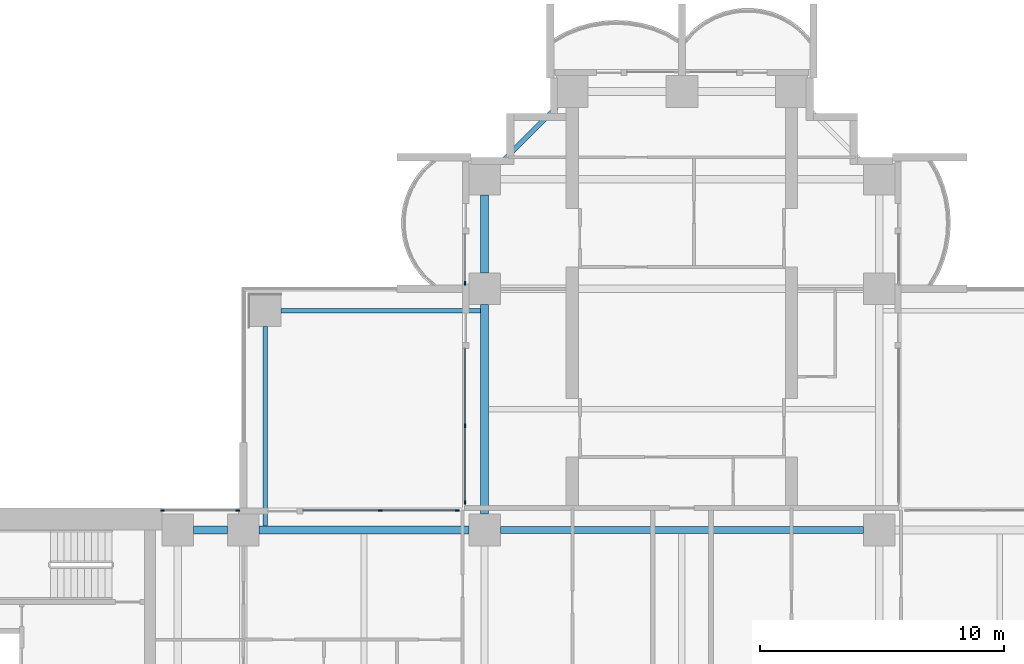
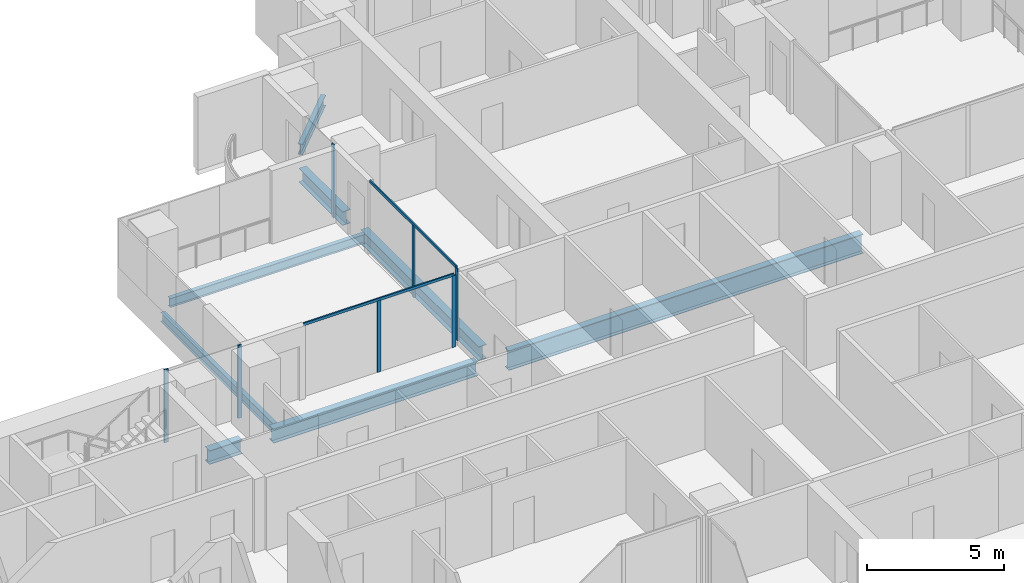
# One storey, part 5 of 20: 9 members, 8 beams, 4 elements without a shape of their own.
"""IFC4 building model written with IfcOpenShell, lengths in metres."""

from ifc_helpers import new_model, si_unit, direction, frame, origin, origin_2d, place, context, subcontext, project, spatial, rectangle, i_section, extrude, material, material_profile, profile_set, type_object, element, aggregate, save


model = new_model("IFC4")

# Units and contexts
model_context = context("Model", 3, precision=1e-05, world=origin(), true_north=direction((0.0, 1.0)))
body_context = subcontext(model_context, "Body", "Model", "MODEL_VIEW")
ifc_project = project(units=[si_unit("LENGTHUNIT", "METRE"), si_unit("AREAUNIT", "SQUARE_METRE"), si_unit("VOLUMEUNIT", "CUBIC_METRE"), si_unit("PLANEANGLEUNIT", "RADIAN"), si_unit("MASSUNIT", "GRAM", prefix="KILO")], contexts=[model_context])

# Site, building, storey
site_placement = place(None, origin())
site = spatial("IfcSite", under=ifc_project, at=site_placement, CompositionType="ELEMENT")
building_placement = place(site_placement, origin())
building = spatial("IfcBuilding", under=site, at=building_placement, Name="Perihelion Cross Residences", CompositionType="ELEMENT")
storey_placement = place(building_placement, frame((0.0, 0.0, 78.5)))
storey = spatial("IfcBuildingStorey", under=building, at=storey_placement, Name="L17", CompositionType="ELEMENT", Elevation=78.5)

# Curtain wall, member
ifc_material_1 = material(Name="Bronze anodised aluminium, tinted glazing", Category="aluminium")
curtain_wall_type = type_object("IfcCurtainWallType", Name="CW1", PredefinedType="NOTDEFINED", material=ifc_material_1)
curtain_wall_1_placement = place(storey_placement, origin())
curtain_wall_1 = element("IfcCurtainWall", 1, at=curtain_wall_1_placement, inside=storey, type_object=curtain_wall_type, Name="Curtain wall CW1 L17 north side west bay 1", PredefinedType="NOTDEFINED")
ifc_material_2 = material(Name="Bronze anodised aluminium", Category="aluminium")
ifc_material_profile_1 = material_profile(ifc_material_2, rectangle(XDim=0.06005859375, YDim=0.159912109375, at=origin_2d()), Name="CW1 mullion")
ifc_profile_set_1 = profile_set([ifc_material_profile_1], Name="Bronze anodised aluminium")
member_type_1 = type_object("IfcMemberType", Name="CW1 mullion", PredefinedType="MULLION", material=ifc_profile_set_1)
member_1_placement = place(storey_placement, frame((-8.89990234375, 18.22998046875, 0.0), z_axis=(0.0, 0.0, 1.0), x_axis=(1.0, 0.0, 0.0)))
member_1 = element("IfcMember", 2, at=member_1_placement, type_object=member_type_1, Name="CW1 mullion 2", PredefinedType="MULLION", context=body_context, shape_type="SweptSolid", body=[
    extrude(rectangle(XDim=0.06005859375, YDim=0.159912109375, at=origin_2d()), origin(), (0.0, 0.0, 1.0), 3.25),
])
aggregate(curtain_wall_1, [member_1])

# Curtain wall, members
curtain_wall_2_placement = place(storey_placement, origin())
curtain_wall_2 = element("IfcCurtainWall", 3, at=curtain_wall_2_placement, inside=storey, type_object=curtain_wall_type, Name="Curtain wall CW1 L17 north side west bay 2", PredefinedType="NOTDEFINED")
member_2_placement = place(storey_placement, frame((-8.89990234375, 12.375, 0.0), z_axis=(0.0, 0.0, 1.0), x_axis=(1.0, 0.0, 0.0)))
member_2 = element("IfcMember", 4, at=member_2_placement, type_object=member_type_1, Name="CW1 mullion 2", PredefinedType="MULLION", context=body_context, shape_type="SweptSolid", body=[
    extrude(rectangle(XDim=0.06005859375, YDim=0.159912109375, at=origin_2d()), origin(), (0.0, 0.0, 1.0), 3.18994140625),
])
member_3_placement = place(storey_placement, frame((-8.89990234375, 9.22998046875, 0.0), z_axis=(0.0, 0.0, 1.0), x_axis=(1.0, 0.0, 0.0)))
member_3 = element("IfcMember", 5, at=member_3_placement, type_object=member_type_1, Name="CW1 mullion 3", PredefinedType="MULLION", context=body_context, shape_type="SweptSolid", body=[
    extrude(rectangle(XDim=0.06005859375, YDim=0.159912109375, at=origin_2d()), origin(), (0.0, 0.0, 1.0), 3.18994140625),
])

curtain_wall_3_placement = place(storey_placement, origin())
curtain_wall_3 = element("IfcCurtainWall", 6, at=curtain_wall_3_placement, inside=storey, type_object=curtain_wall_type, Name="Curtain wall CW1 L17 west side north bay 1", PredefinedType="NOTDEFINED")
member_4_placement = place(storey_placement, frame((-9.22998046875, 8.89990234375, 0.0), z_axis=(0.0, 0.0, 1.0), x_axis=(0.0, -1.0, 0.0)))
member_4 = element("IfcMember", 7, at=member_4_placement, type_object=member_type_1, Name="CW1 mullion 1", PredefinedType="MULLION", context=body_context, shape_type="SweptSolid", body=[
    extrude(rectangle(XDim=0.06005859375, YDim=0.159912109375, at=origin_2d()), origin(), (0.0, 0.0, 1.0), 3.18994140625),
])
member_5_placement = place(storey_placement, frame((-12.375, 8.89990234375, 0.0), z_axis=(0.0, 0.0, 1.0), x_axis=(0.0, -1.0, 0.0)))
member_5 = element("IfcMember", 8, at=member_5_placement, type_object=member_type_1, Name="CW1 mullion 2", PredefinedType="MULLION", context=body_context, shape_type="SweptSolid", body=[
    extrude(rectangle(XDim=0.06005859375, YDim=0.159912109375, at=origin_2d()), origin(), (0.0, 0.0, 1.0), 3.18994140625),
])

curtain_wall_4_placement = place(storey_placement, origin())
curtain_wall_4 = element("IfcCurtainWall", 9, at=curtain_wall_4_placement, inside=storey, type_object=curtain_wall_type, Name="Curtain wall CW1 L17 west side north bay 2", PredefinedType="NOTDEFINED")
member_6_placement = place(storey_placement, frame((-18.22998046875, 8.89990234375, 0.0), z_axis=(0.0, 0.0, 1.0), x_axis=(0.0, -1.0, 0.0)))
member_6 = element("IfcMember", 10, at=member_6_placement, type_object=member_type_1, Name="CW1 mullion 1", PredefinedType="MULLION", context=body_context, shape_type="SweptSolid", body=[
    extrude(rectangle(XDim=0.06005859375, YDim=0.159912109375, at=origin_2d()), origin(), (0.0, 0.0, 1.0), 3.25),
])
member_7_placement = place(storey_placement, frame((-21.320068359375, 8.89990234375, 0.0), z_axis=(0.0, 0.0, 1.0), x_axis=(0.0, -1.0, 0.0)))
member_7 = element("IfcMember", 11, at=member_7_placement, type_object=member_type_1, Name="CW1 mullion 2", PredefinedType="MULLION", context=body_context, shape_type="SweptSolid", body=[
    extrude(rectangle(XDim=0.06005859375, YDim=0.159912109375, at=origin_2d()), origin(), (0.0, 0.0, 1.0), 3.25),
])
aggregate(curtain_wall_4, [member_6, member_7])

# Member
ifc_material_3 = material(Name="Bronze anodised aluminium", Category="aluminium")
ifc_material_profile_2 = material_profile(ifc_material_3, rectangle(XDim=0.06005859375, YDim=0.1201171875, at=origin_2d()), Name="CW1 transom")
ifc_profile_set_2 = profile_set([ifc_material_profile_2], Name="Bronze anodised aluminium")
member_type_2 = type_object("IfcMemberType", Name="CW1 transom", PredefinedType="USERDEFINED", material=ifc_profile_set_2)
member_8_placement = place(storey_placement, frame((-8.89990234375, 15.550048828125, 3.219970703125), z_axis=(0.0, -1.0, 0.0), x_axis=(1.0, 0.0, 0.0)))
member_8 = element("IfcMember", 12, at=member_8_placement, type_object=member_type_2, Name="CW1 head transom", ObjectType="TRANSOM", PredefinedType="USERDEFINED", context=body_context, shape_type="SweptSolid", body=[
    extrude(rectangle(XDim=0.06005859375, YDim=0.1201171875, at=origin_2d()), origin(), (0.0, 0.0, 1.0), 6.320068359375),
])

aggregate(curtain_wall_2, [member_2, member_3, member_8])

member_9_placement = place(storey_placement, frame((-9.22998046875, 8.89990234375, 3.219970703125), z_axis=(-1.0, 0.0, 0.0), x_axis=(0.0, -1.0, 0.0)))
member_9 = element("IfcMember", 13, at=member_9_placement, type_object=member_type_2, Name="CW1 head transom", ObjectType="TRANSOM", PredefinedType="USERDEFINED", context=body_context, shape_type="SweptSolid", body=[
    extrude(rectangle(XDim=0.06005859375, YDim=0.1201171875, at=origin_2d()), origin(), (0.0, 0.0, 1.0), 6.320068359375),
])

aggregate(curtain_wall_3, [member_4, member_5, member_9])

# Beams
ifc_material_4 = material(Name="Steel S355", Category="steel")
ifc_material_profile_3 = material_profile(ifc_material_4, i_section(OverallWidth=0.177978515625, OverallDepth=0.406005859375, WebThickness=0.0078125, FlangeThickness=0.0126953125, at=origin_2d()), Name="W410x60")
ifc_profile_set_3 = profile_set([ifc_material_profile_3], Name="Steel S355")
beam_type_1 = type_object("IfcBeamType", Name="Core edge beam W410x60", PredefinedType="BEAM", material=ifc_profile_set_3)
for number, where, z_axis, x_axis, name in (
    (14, (-17.10009765625, 8.262451171875, -0.452880859375), (0.0, 1.0, 0.0), (-1.0, 0.0, 0.0), "Core edge beam TB2 L17 corner no. 3"),
    (15, (-8.262451171875, 17.10009765625, -0.452880859375), (-1.0, 0.0, 0.0), (0.0, -1.0, 0.0), "Core edge beam TB2 L17 corner no. 4"),
):
    element("IfcBeam", number, at=place(storey_placement, frame(where, z_axis=z_axis, x_axis=x_axis)), inside=storey, type_object=beam_type_1, Name=name, PredefinedType="BEAM", context=body_context, shape_type="SweptSolid", body=[
        extrude(i_section(OverallWidth=0.177978515625, OverallDepth=0.406005859375, WebThickness=0.0078125, FlangeThickness=0.0126953125, at=origin_2d()), origin(), (0.0, 0.0, 1.0), 8.1875),
    ])
ifc_material_5 = material(Name="Steel S355", Category="steel")
ifc_material_profile_4 = material_profile(ifc_material_5, i_section(OverallWidth=0.324951171875, OverallDepth=0.616943359375, WebThickness=0.013916015625, FlangeThickness=0.021484375, at=origin_2d()), Name="W610x174")
ifc_profile_set_4 = profile_set([ifc_material_profile_4], Name="Steel S355")
beam_type_2 = type_object("IfcBeamType", Name="Edge beam W610x174", PredefinedType="SPANDREL", material=ifc_profile_set_4)
beam_1_placement = place(storey_placement, frame((-8.10009765625, 21.85009765625, -0.55859375), z_axis=(0.0, -1.0, 0.0), x_axis=(1.0, 0.0, 0.0)))
element("IfcBeam", 16, at=beam_1_placement, inside=storey, type_object=beam_type_2, Name="Edge beam SB2 L17 no. 8", PredefinedType="SPANDREL", context=body_context, shape_type="SweptSolid", body=[
    extrude(i_section(OverallWidth=0.324951171875, OverallDepth=0.616943359375, WebThickness=0.013916015625, FlangeThickness=0.021484375, at=origin_2d()), origin(), (0.0, 0.0, 1.0), 3.2001953125),
])
for number, where, z_axis, x_axis, name in (
    (17, (-8.10009765625, 17.35009765625, -0.55859375), (0.0, -1.0, 0.0), (1.0, 0.0, 0.0), "Edge beam SB2 L17 no. 7"),
    (18, (-8.75, 8.10009765625, -0.55859375), (-1.0, 0.0, 0.0), (0.0, -1.0, 0.0), "Edge beam SB2 L17 no. 9"),
):
    element("IfcBeam", number, at=place(storey_placement, frame(where, z_axis=z_axis, x_axis=x_axis)), inside=storey, type_object=beam_type_2, Name=name, PredefinedType="SPANDREL", context=body_context, shape_type="SweptSolid", body=[
        extrude(i_section(OverallWidth=0.324951171875, OverallDepth=0.616943359375, WebThickness=0.013916015625, FlangeThickness=0.021484375, at=origin_2d()), origin(), (0.0, 0.0, 1.0), 8.60009765625),
    ])
beam_2_placement = place(storey_placement, frame((-18.64990234375, 8.10009765625, -0.55859375), z_axis=(-1.0, 0.0, 0.0), x_axis=(0.0, -1.0, 0.0)))
element("IfcBeam", 19, at=beam_2_placement, inside=storey, type_object=beam_type_2, Name="Edge beam SB2 L17 no. 2", PredefinedType="SPANDREL", context=body_context, shape_type="SweptSolid", body=[
    extrude(i_section(OverallWidth=0.324951171875, OverallDepth=0.616943359375, WebThickness=0.013916015625, FlangeThickness=0.021484375, at=origin_2d()), origin(), (0.0, 0.0, 1.0), 1.400146484375),
])
ifc_material_6 = material(Name="Steel S355", Category="steel")
ifc_material_profile_5 = material_profile(ifc_material_6, i_section(OverallWidth=0.2919921875, OverallDepth=0.85888671875, WebThickness=0.01708984375, FlangeThickness=0.031005859375, at=origin_2d()), Name="W840x251")
ifc_profile_set_5 = profile_set([ifc_material_profile_5], Name="Steel S355")
beam_type_3 = type_object("IfcBeamType", Name="Hub ring girder W840x251", PredefinedType="BEAM", material=ifc_profile_set_5)
beam_3_placement = place(storey_placement, frame((7.449951171875, 8.10009765625, -0.679443359375), z_axis=(-1.0, 0.0, 0.0), x_axis=(0.0, -1.0, 0.0)))
element("IfcBeam", 20, at=beam_3_placement, inside=storey, type_object=beam_type_3, Name="Hub ring girder RG2 L17 no. 4", PredefinedType="BEAM", context=body_context, shape_type="SweptSolid", body=[
    extrude(i_section(OverallWidth=0.2919921875, OverallDepth=0.85888671875, WebThickness=0.01708984375, FlangeThickness=0.031005859375, at=origin_2d()), origin(), (0.0, 0.0, 1.0), 14.89990234375),
])
ifc_material_7 = material(Name="Steel S355", Category="steel")
ifc_material_profile_6 = material_profile(ifc_material_7, i_section(OverallWidth=0.194091796875, OverallDepth=0.469970703125, WebThickness=0.0126953125, FlangeThickness=0.0205078125, at=origin_2d()), Name="W460x106")
ifc_profile_set_6 = profile_set([ifc_material_profile_6], Name="Steel S355")
beam_type_4 = type_object("IfcBeamType", Name="Serration edge beam W460x106", PredefinedType="BEAM", material=ifc_profile_set_6)
beam_4_placement = place(storey_placement, frame((-5.14990234375, 25.449951171875, -0.485107421875), z_axis=(-0.707106781187, -0.707106781187, 0.0), x_axis=(0.707106781187, -0.707106781187, 0.0)))
element("IfcBeam", 21, at=beam_4_placement, inside=storey, type_object=beam_type_4, Name="Serration edge beam EB2 L17 no. 1", PredefinedType="BEAM", context=body_context, shape_type="SweptSolid", body=[
    extrude(i_section(OverallWidth=0.194091796875, OverallDepth=0.469970703125, WebThickness=0.0126953125, FlangeThickness=0.0205078125, at=origin_2d()), origin(), (0.0, 0.0, 1.0), 3.252685546875),
])

save(model, "model.ifc")
